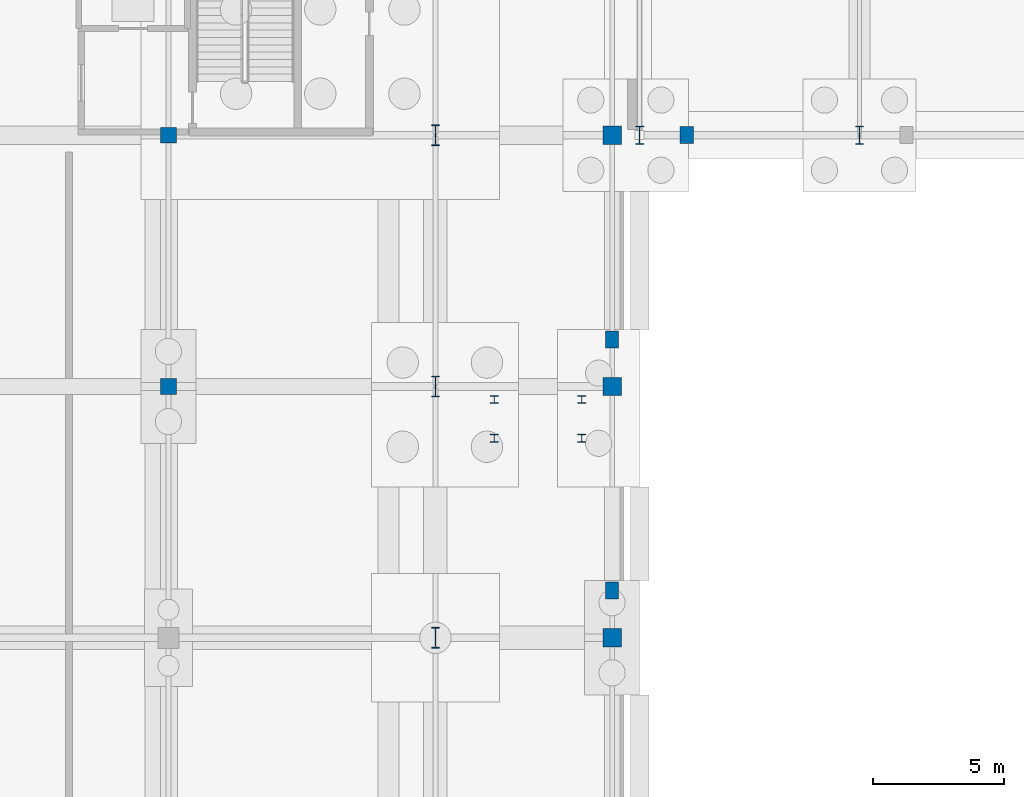
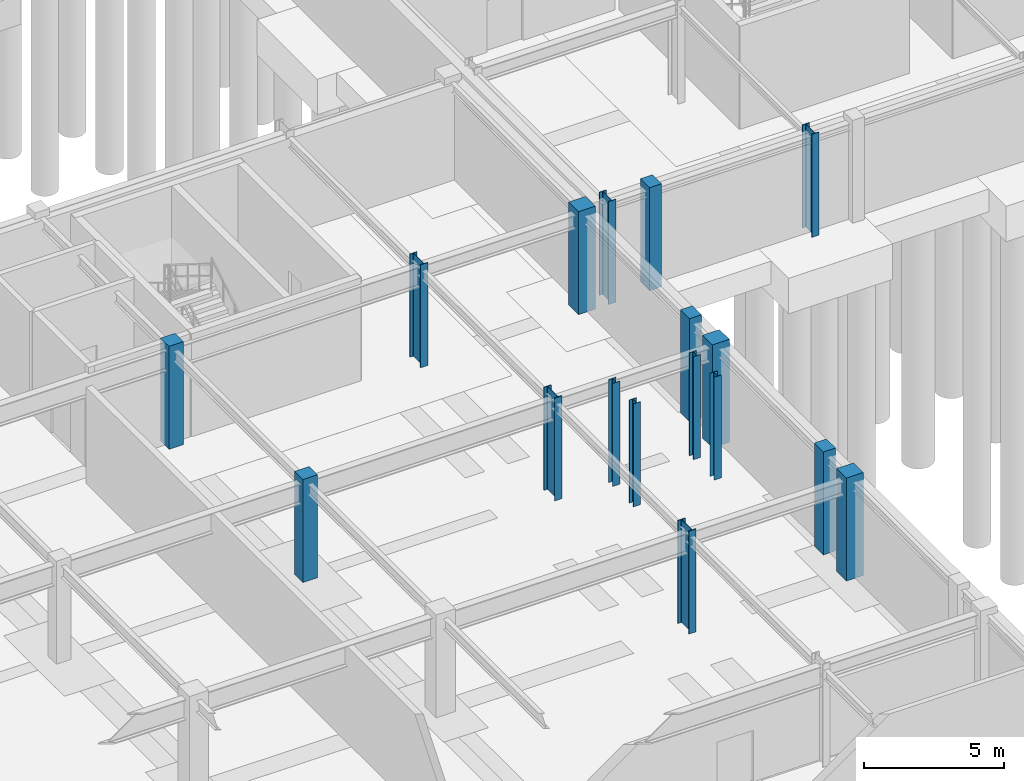
# One storey, part 20 of 59: 17 columns.
"""IFC4 building model written with IfcOpenShell, lengths in metres."""

from ifc_helpers import new_model, si_unit, direction, frame, origin, origin_2d, place, context, subcontext, project, spatial, rectangle, i_section, extrude, material, material_profile, profile_set, type_object, element, save


model = new_model("IFC4")

# Units and contexts
model_context = context("Model", 3, precision=1e-05, world=origin(), true_north=direction((0.0, 1.0)))
body_context = subcontext(model_context, "Body", "Model", "MODEL_VIEW")
ifc_project = project(units=[si_unit("LENGTHUNIT", "METRE"), si_unit("AREAUNIT", "SQUARE_METRE"), si_unit("VOLUMEUNIT", "CUBIC_METRE"), si_unit("PLANEANGLEUNIT", "RADIAN"), si_unit("MASSUNIT", "GRAM", prefix="KILO")], contexts=[model_context])

# Site, building, storey
site_placement = place(None, origin())
site = spatial("IfcSite", under=ifc_project, at=site_placement, CompositionType="ELEMENT")
building_placement = place(site_placement, origin())
building = spatial("IfcBuilding", under=site, at=building_placement, Name="Myrtia Square Station", CompositionType="ELEMENT")
storey_placement = place(building_placement, frame((0.0, 0.0, -4.5)))
storey = spatial("IfcBuildingStorey", under=building, at=storey_placement, Name="B01", CompositionType="ELEMENT", Elevation=-4.5)

# Columns
ifc_material_1 = material(Name="Steel S355", Category="steel")
ifc_material_profile_1 = material_profile(ifc_material_1, i_section(OverallWidth=0.300048828125, OverallDepth=0.300048828125, WebThickness=0.010986328125, FlangeThickness=0.01904296875, FilletRadius=0.027099609375, at=origin_2d()), Name="HEB 300")
ifc_profile_set_1 = profile_set([ifc_material_profile_1], Name="Steel S355")
column_type_1 = type_object("IfcColumnType", Name="COL-HEB300", PredefinedType="COLUMN", material=ifc_profile_set_1)
for number, where, z_axis, x_axis, name in (
    (1, (112.050048828125, 76.300048828125, 0.0), (0.0, 0.0, 1.0), (1.0, 0.0, 0.0), "Interchange stair substructure post 6-WN"),
    (2, (112.050048828125, 74.820068359375, 0.0), (0.0, 0.0, 1.0), (1.0, 0.0, 0.0), "Interchange stair substructure post 6-WS"),
    (3, (115.389892578125, 76.300048828125, 0.0), (0.0, 0.0, 1.0), (1.0, 0.0, 0.0), "Interchange stair substructure post 6-EN"),
    (4, (115.389892578125, 74.820068359375, 0.0), (0.0, 0.0, 1.0), (1.0, 0.0, 0.0), "Interchange stair substructure post 6-ES"),
):
    element("IfcColumn", number, at=place(storey_placement, frame(where, z_axis=z_axis, x_axis=x_axis)), inside=storey, type_object=column_type_1, Name=name, PredefinedType="COLUMN", context=body_context, shape_type="SweptSolid", body=[
        extrude(i_section(OverallWidth=0.300048828125, OverallDepth=0.300048828125, WebThickness=0.010986328125, FlangeThickness=0.01904296875, FilletRadius=0.027099609375, at=origin_2d()), origin(), (0.0, 0.0, 1.0), 4.5),
    ])
ifc_material_profile_2 = material_profile(ifc_material_1, i_section(OverallWidth=0.300048828125, OverallDepth=0.699951171875, WebThickness=0.01708984375, FlangeThickness=0.031982421875, FilletRadius=0.027099609375, at=origin_2d()), Name="HEB 700")
ifc_profile_set_2 = profile_set([ifc_material_profile_2], Name="Steel S355")
column_type_2 = type_object("IfcColumnType", Name="COL-HEB700", PredefinedType="COLUMN", material=ifc_profile_set_2)
for number, where, z_axis, x_axis, name in (
    (5, (117.60009765625, 86.39990234375, 0.0), (0.0, 0.0, 1.0), (1.0, 0.0, 0.0), "Column B01-0759"),
    (6, (126.0, 86.39990234375, 0.0), (0.0, 0.0, 1.0), (1.0, 0.0, 0.0), "Column B01-0779"),
):
    element("IfcColumn", number, at=place(storey_placement, frame(where, z_axis=z_axis, x_axis=x_axis)), inside=storey, type_object=column_type_2, Name=name, PredefinedType="COLUMN", context=body_context, shape_type="SweptSolid", body=[
        extrude(i_section(OverallWidth=0.300048828125, OverallDepth=0.699951171875, WebThickness=0.01708984375, FlangeThickness=0.031982421875, FilletRadius=0.027099609375, at=origin_2d()), origin(), (0.0, 0.0, 1.0), 4.5),
    ])
ifc_material_profile_3 = material_profile(ifc_material_1, i_section(OverallWidth=0.300048828125, OverallDepth=0.800048828125, WebThickness=0.017578125, FlangeThickness=0.032958984375, FilletRadius=0.030029296875, at=origin_2d()), Name="HEB 800")
ifc_profile_set_3 = profile_set([ifc_material_profile_3], Name="Steel S355")
column_type_3 = type_object("IfcColumnType", Name="COL-HEB800", PredefinedType="COLUMN", material=ifc_profile_set_3)
for number, where, z_axis, x_axis, name in (
    (7, (109.800048828125, 67.199951171875, 0.0), (0.0, 0.0, 1.0), (1.0, 0.0, 0.0), "Column B01-0345"),
    (8, (109.800048828125, 76.800048828125, 0.0), (0.0, 0.0, 1.0), (1.0, 0.0, 0.0), "Column B01-0367"),
    (9, (109.800048828125, 86.39990234375, 0.0), (0.0, 0.0, 1.0), (1.0, 0.0, 0.0), "Column B01-0389"),
):
    element("IfcColumn", number, at=place(storey_placement, frame(where, z_axis=z_axis, x_axis=x_axis)), inside=storey, type_object=column_type_3, Name=name, PredefinedType="COLUMN", context=body_context, shape_type="SweptSolid", body=[
        extrude(i_section(OverallWidth=0.300048828125, OverallDepth=0.800048828125, WebThickness=0.017578125, FlangeThickness=0.032958984375, FilletRadius=0.030029296875, at=origin_2d()), origin(), (0.0, 0.0, 1.0), 4.5),
    ])
ifc_material_2 = material(Name="Concrete C40/50", Category="concrete")
ifc_material_profile_4 = material_profile(ifc_material_2, rectangle(XDim=0.60009765625, YDim=0.60009765625, at=origin_2d()), Name="RC 600x600")
ifc_profile_set_4 = profile_set([ifc_material_profile_4], Name="Concrete C40/50")
column_type_4 = type_object("IfcColumnType", Name="COL-RC600", PredefinedType="COLUMN", material=ifc_profile_set_4)
for number, where, z_axis, x_axis, name in (
    (10, (99.60009765625, 76.800048828125, 0.0), (0.0, 0.0, 1.0), (1.0, 0.0, 0.0), "Column B01-0466"),
    (11, (99.60009765625, 86.39990234375, 0.0), (0.0, 0.0, 1.0), (1.0, 0.0, 0.0), "Column B01-0471"),
):
    element("IfcColumn", number, at=place(storey_placement, frame(where, z_axis=z_axis, x_axis=x_axis)), inside=storey, type_object=column_type_4, Name=name, PredefinedType="COLUMN", context=body_context, shape_type="SweptSolid", body=[
        extrude(rectangle(XDim=0.60009765625, YDim=0.60009765625, at=origin_2d()), origin(), (0.0, 0.0, 1.0), 4.5),
    ])
ifc_material_profile_5 = material_profile(ifc_material_2, rectangle(XDim=0.699951171875, YDim=0.699951171875, at=origin_2d()), Name="RC 700x700")
ifc_profile_set_5 = profile_set([ifc_material_profile_5], Name="Concrete C40/50")
column_type_5 = type_object("IfcColumnType", Name="COL-RC700", PredefinedType="COLUMN", material=ifc_profile_set_5)
for number, where, z_axis, x_axis, name in (
    (12, (116.550048828125, 67.199951171875, 0.0), (0.0, 0.0, 1.0), (1.0, 0.0, 0.0), "Column B01-0334"),
    (13, (116.550048828125, 76.800048828125, 0.0), (0.0, 0.0, 1.0), (1.0, 0.0, 0.0), "Column B01-0356"),
    (14, (116.550048828125, 86.39990234375, 0.0), (0.0, 0.0, 1.0), (1.0, 0.0, 0.0), "Column B01-0378"),
):
    element("IfcColumn", number, at=place(storey_placement, frame(where, z_axis=z_axis, x_axis=x_axis)), inside=storey, type_object=column_type_5, Name=name, PredefinedType="COLUMN", context=body_context, shape_type="SweptSolid", body=[
        extrude(rectangle(XDim=0.699951171875, YDim=0.699951171875, at=origin_2d()), origin(), (0.0, 0.0, 1.0), 4.5),
    ])
ifc_material_profile_6 = material_profile(ifc_material_2, rectangle(XDim=0.5, YDim=0.64990234375, at=origin_2d()), Name="PIL 500x650")
ifc_profile_set_6 = profile_set([ifc_material_profile_6], Name="Concrete C40/50")
column_type_6 = type_object("IfcColumnType", Name="PIL-RC500x650", PredefinedType="PILASTER", material=ifc_profile_set_6)
for number, where, z_axis, x_axis, name in (
    (15, (116.550048828125, 69.0, 0.0), (0.0, 0.0, 1.0), (1.0, 0.0, 0.0), "Portales arcade pilaster B01-04"),
    (16, (116.550048828125, 78.60009765625, 0.0), (0.0, 0.0, 1.0), (1.0, 0.0, 0.0), "Portales arcade pilaster B01-05"),
    (17, (119.39990234375, 86.39990234375, 0.0), (0.0, 0.0, 1.0), (1.0, 0.0, 0.0), "Portales arcade pilaster B01-13"),
):
    element("IfcColumn", number, at=place(storey_placement, frame(where, z_axis=z_axis, x_axis=x_axis)), inside=storey, type_object=column_type_6, Name=name, PredefinedType="PILASTER", context=body_context, shape_type="SweptSolid", body=[
        extrude(rectangle(XDim=0.5, YDim=0.64990234375, at=origin_2d()), origin(), (0.0, 0.0, 1.0), 4.5),
    ])

save(model, "model.ifc")
